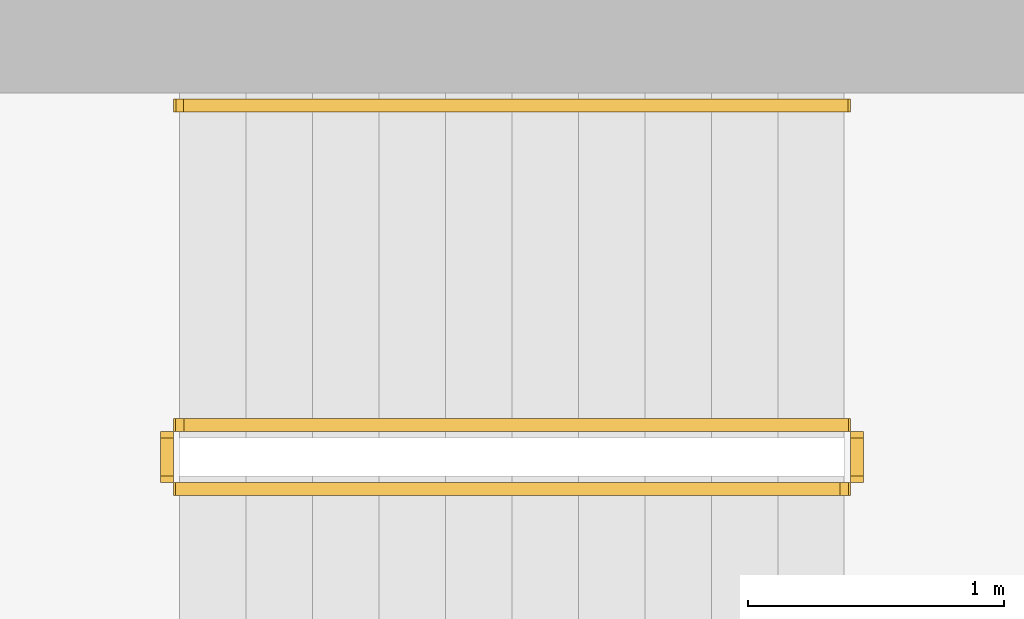
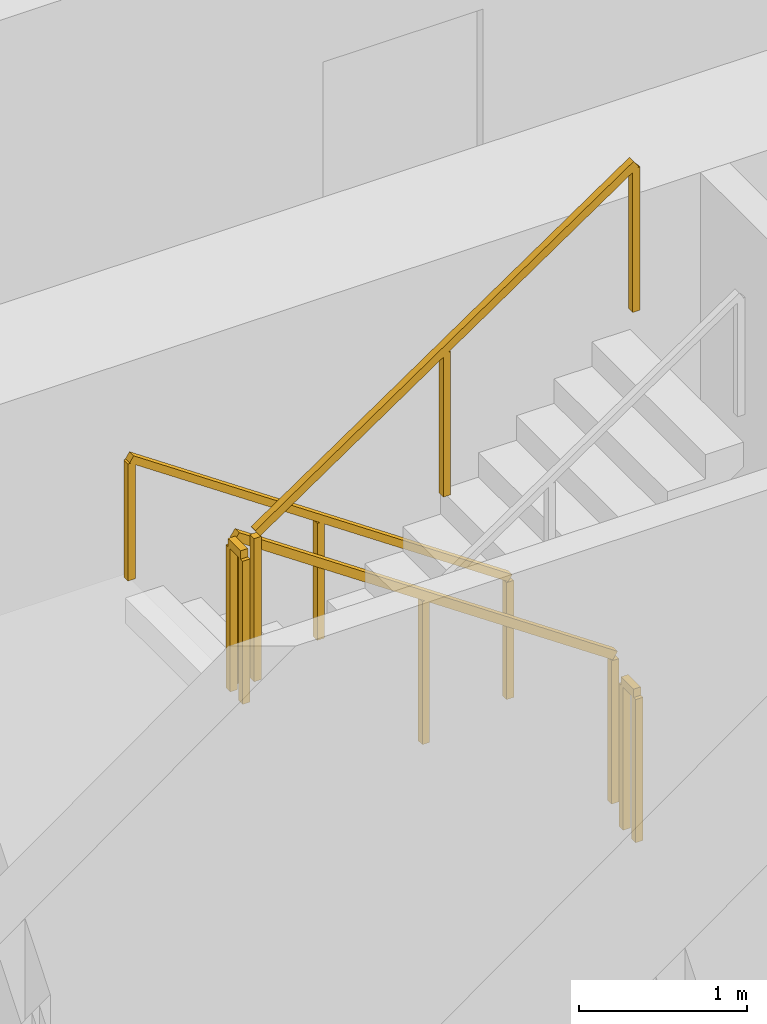
# One storey, part 13 of 14: 5 railings.
"""IFC4 building model written with IfcOpenShell, lengths in metres."""

from ifc_helpers import new_model, si_unit, direction, frame, origin, origin_2d, place, context, subcontext, project, spatial, rectangle, extrude, material, type_object, element, save


model = new_model("IFC4")

# Units and contexts
model_context = context("Model", 3, precision=1e-05, world=origin(), true_north=direction((0.0, 1.0)))
body_context = subcontext(model_context, "Body", "Model", "MODEL_VIEW")
ifc_project = project(units=[si_unit("LENGTHUNIT", "METRE"), si_unit("AREAUNIT", "SQUARE_METRE"), si_unit("VOLUMEUNIT", "CUBIC_METRE"), si_unit("PLANEANGLEUNIT", "RADIAN"), si_unit("MASSUNIT", "GRAM", prefix="KILO")], contexts=[model_context])

# Site, building, storey
site_placement = place(None, origin())
site = spatial("IfcSite", under=ifc_project, at=site_placement, CompositionType="ELEMENT")
building_placement = place(site_placement, origin())
building = spatial("IfcBuilding", under=site, at=building_placement, Name="Khepri Terraces", CompositionType="ELEMENT")
storey_placement = place(building_placement, frame((0.0, 0.0, 102.60009765625)))
storey = spatial("IfcBuildingStorey", under=building, at=storey_placement, Name="L24", CompositionType="ELEMENT", Elevation=102.60009765625)

# Railings
ifc_material = material(Name="Stainless steel 316", Category="steel")
railing_type_1 = type_object("IfcRailingType", Name="RL-CORE-GUARD", PredefinedType="GUARDRAIL", material=ifc_material)
railing_1_placement = place(storey_placement, frame((-0.25, 8.800048828125, 0.17724609375)))
element("IfcRailing", 1, at=railing_1_placement, inside=storey, type_object=railing_type_1, Name="L24 ST-3 stair guard 1", PredefinedType="GUARDRAIL", context=body_context, shape_type="SweptSolid", body=[
    extrude(rectangle(XDim=0.050048828125, YDim=0.06005859375, at=origin_2d()), frame((0.0, 0.0, 1.070068359375), z_axis=(-0.826240473404, 0.0, 0.563317565952), x_axis=(0.0, -1.0, 0.0)), (0.0, 0.0, 1.0), 3.14697265625),
    extrude(rectangle(XDim=0.050048828125, YDim=0.050048828125, at=origin_2d()), origin(), (0.0, 0.0, 1.0), 1.0400390625),
    extrude(rectangle(XDim=0.050048828125, YDim=0.050048828125, at=origin_2d()), frame((-1.300048828125, 0.0, 0.88623046875)), (0.0, 0.0, 1.0), 1.0400390625),
    extrude(rectangle(XDim=0.050048828125, YDim=0.050048828125, at=origin_2d()), frame((-2.60009765625, 0.0, 1.772705078125)), (0.0, 0.0, 1.0), 1.0400390625),
])
railing_2_placement = place(storey_placement, frame((-2.89990234375, 8.75, 1.949951171875)))
element("IfcRailing", 2, at=railing_2_placement, inside=storey, type_object=railing_type_1, Name="L24 ST-3 stair guard 2", PredefinedType="GUARDRAIL", context=body_context, shape_type="SweptSolid", body=[
    extrude(rectangle(XDim=0.050048828125, YDim=0.06005859375, at=origin_2d()), frame((0.0, 0.0, 1.070068359375), z_axis=(0.0, -1.0, 0.0), x_axis=(1.0, 0.0, 0.0)), (0.0, 0.0, 1.0), 0.14990234375),
    extrude(rectangle(XDim=0.050048828125, YDim=0.050048828125, at=origin_2d()), origin(), (0.0, 0.0, 1.0), 1.0400390625),
    extrude(rectangle(XDim=0.050048828125, YDim=0.050048828125, at=origin_2d()), frame((0.0, -0.14990234375, 0.0)), (0.0, 0.0, 1.0), 1.0400390625),
])
railing_3_placement = place(storey_placement, frame((-2.85009765625, 8.550048828125, 2.127197265625)))
element("IfcRailing", 3, at=railing_3_placement, inside=storey, type_object=railing_type_1, Name="L24 ST-3 stair guard 3", PredefinedType="GUARDRAIL", context=body_context, shape_type="SweptSolid", body=[
    extrude(rectangle(XDim=0.050048828125, YDim=0.06005859375, at=origin_2d()), frame((0.0, 0.0, 1.070068359375), z_axis=(0.826240473404, 0.0, 0.563317565952), x_axis=(0.0, 1.0, 0.0)), (0.0, 0.0, 1.0), 3.14697265625),
    extrude(rectangle(XDim=0.050048828125, YDim=0.050048828125, at=origin_2d()), origin(), (0.0, 0.0, 1.0), 1.0400390625),
    extrude(rectangle(XDim=0.050048828125, YDim=0.050048828125, at=origin_2d()), frame((1.300048828125, 0.0, 0.88623046875)), (0.0, 0.0, 1.0), 1.0400390625),
    extrude(rectangle(XDim=0.050048828125, YDim=0.050048828125, at=origin_2d()), frame((2.60009765625, 0.0, 1.772705078125)), (0.0, 0.0, 1.0), 1.0400390625),
])
railing_4_placement = place(storey_placement, frame((-0.199951171875, 8.75, 0.0)))
element("IfcRailing", 4, at=railing_4_placement, inside=storey, type_object=railing_type_1, Name="L24 ST-3 stair guard 4", PredefinedType="GUARDRAIL", context=body_context, shape_type="SweptSolid", body=[
    extrude(rectangle(XDim=0.050048828125, YDim=0.06005859375, at=origin_2d()), frame((0.0, 0.0, 1.070068359375), z_axis=(0.0, -1.0, 0.0), x_axis=(1.0, 0.0, 0.0)), (0.0, 0.0, 1.0), 0.14990234375),
    extrude(rectangle(XDim=0.050048828125, YDim=0.050048828125, at=origin_2d()), origin(), (0.0, 0.0, 1.0), 1.0400390625),
    extrude(rectangle(XDim=0.050048828125, YDim=0.050048828125, at=origin_2d()), frame((0.0, -0.14990234375, 0.0)), (0.0, 0.0, 1.0), 1.0400390625),
])
railing_type_2 = type_object("IfcRailingType", Name="RL-CORE-HANDRAIL", PredefinedType="HANDRAIL", material=ifc_material)
railing_5_placement = place(storey_placement, frame((-0.25, 10.050048828125, 0.17724609375)))
element("IfcRailing", 5, at=railing_5_placement, inside=storey, type_object=railing_type_2, Name="L24 ST-3 stair handrail 1", PredefinedType="HANDRAIL", context=body_context, shape_type="SweptSolid", body=[
    extrude(rectangle(XDim=0.050048828125, YDim=0.050048828125, at=origin_2d()), frame((0.0, 0.0, 0.875), z_axis=(-0.826240473404, 0.0, 0.563317565952), x_axis=(0.0, -1.0, 0.0)), (0.0, 0.0, 1.0), 3.14697265625),
    extrude(rectangle(XDim=0.050048828125, YDim=0.050048828125, at=origin_2d()), origin(), (0.0, 0.0, 1.0), 0.849853515625),
    extrude(rectangle(XDim=0.050048828125, YDim=0.050048828125, at=origin_2d()), frame((-1.300048828125, 0.0, 0.88623046875)), (0.0, 0.0, 1.0), 0.849853515625),
    extrude(rectangle(XDim=0.050048828125, YDim=0.050048828125, at=origin_2d()), frame((-2.60009765625, 0.0, 1.772705078125)), (0.0, 0.0, 1.0), 0.849853515625),
])

save(model, "model.ifc")
